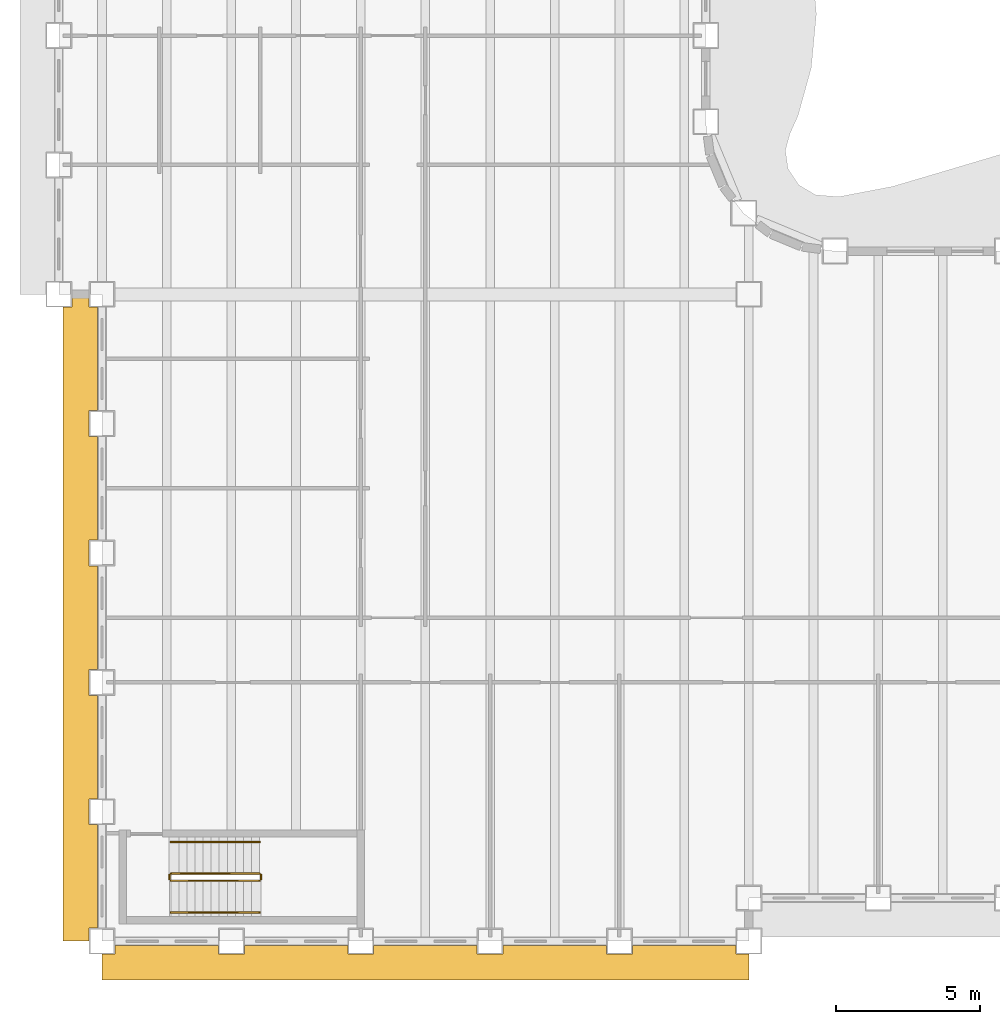
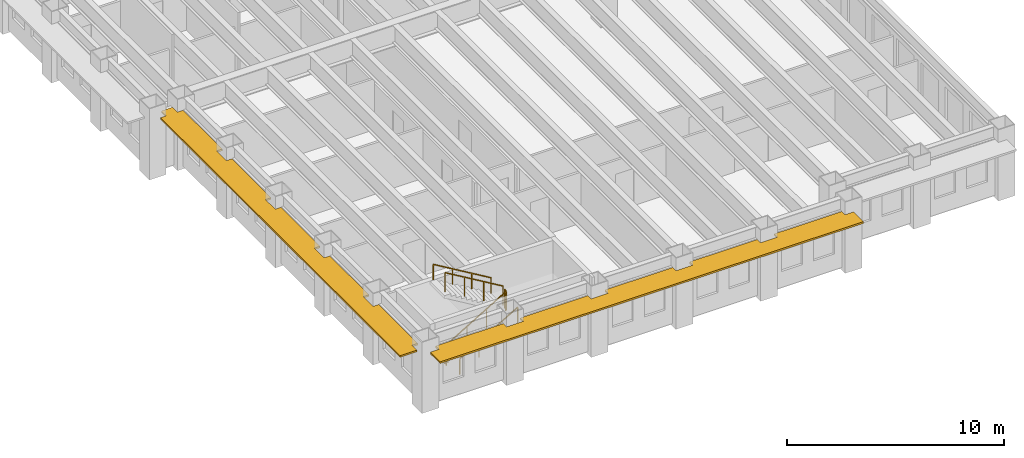
# One storey, part 10 of 13: 6 railings, 2 shading devices.
"""IFC4 building model written with IfcOpenShell, lengths in metres."""

from ifc_helpers import new_model, si_unit, direction, frame, origin, origin_2d, place, context, subcontext, project, spatial, polyline, rectangle, outline, extrude, material, layer, layer_set, type_object, element, save


model = new_model("IFC4")

# Units and contexts
model_context = context("Model", 3, precision=1e-05, world=origin(), true_north=direction((0.0, 1.0)))
body_context = subcontext(model_context, "Body", "Model", "MODEL_VIEW")
ifc_project = project(units=[si_unit("LENGTHUNIT", "METRE"), si_unit("AREAUNIT", "SQUARE_METRE"), si_unit("VOLUMEUNIT", "CUBIC_METRE"), si_unit("PLANEANGLEUNIT", "RADIAN"), si_unit("MASSUNIT", "GRAM", prefix="KILO")], contexts=[model_context])

# Site, building, storey
site_placement = place(None, origin())
site = spatial("IfcSite", under=ifc_project, at=site_placement, CompositionType="ELEMENT")
building_placement = place(site_placement, origin())
building = spatial("IfcBuilding", under=site, at=building_placement, Name="Sennacour Bend Tower", CompositionType="ELEMENT")
storey_placement = place(building_placement, frame((0.0, 0.0, 143.0)))
storey = spatial("IfcBuildingStorey", under=building, at=storey_placement, Name="L32", CompositionType="ELEMENT", Elevation=143.0)

# Railings
ifc_material_1 = material(Name="Stainless steel", Category="steel")
railing_type_1 = type_object("IfcRailingType", Name="RL-GUARD-1100", PredefinedType="GUARDRAIL", material=ifc_material_1)
railing_1_placement = place(storey_placement, frame((2.39990234375, 2.10009765625, 0.166748046875)))
element("IfcRailing", 1, at=railing_1_placement, inside=storey, type_object=railing_type_1, Name="L32 SK1 stair guard 1", PredefinedType="GUARDRAIL", context=body_context, shape_type="SweptSolid", body=[
    extrude(rectangle(XDim=0.048095703125, YDim=0.048095703125, at=origin_2d()), frame((0.0, 0.0, 1.076171875), z_axis=(0.859308565015, 0.0, 0.511457515432), x_axis=(0.0, 1.0, 0.0)), (0.0, 0.0, 1.0), 3.58447265625),
    extrude(rectangle(XDim=0.0419921875, YDim=0.0419921875, at=origin_2d()), origin(), (0.0, 0.0, 1.0), 1.052001953125),
    extrude(rectangle(XDim=0.0419921875, YDim=0.0419921875, at=origin_2d()), frame((1.026611328125, 0.0, 0.611083984375)), (0.0, 0.0, 1.0), 1.052001953125),
    extrude(rectangle(XDim=0.0419921875, YDim=0.0419921875, at=origin_2d()), frame((2.053466796875, 0.0, 1.22216796875)), (0.0, 0.0, 1.0), 1.052001953125),
    extrude(rectangle(XDim=0.0419921875, YDim=0.0419921875, at=origin_2d()), frame((3.080078125, 0.0, 1.833251953125)), (0.0, 0.0, 1.0), 1.052001953125),
])
railing_2_placement = place(storey_placement, frame((5.530029296875, 2.14990234375, 2.0)))
element("IfcRailing", 2, at=railing_2_placement, inside=storey, type_object=railing_type_1, Name="L32 SK1 stair guard 2", PredefinedType="GUARDRAIL", context=body_context, shape_type="SweptSolid", body=[
    extrude(rectangle(XDim=0.048095703125, YDim=0.048095703125, at=origin_2d()), frame((0.0, 0.0, 1.076171875), z_axis=(0.0, 1.0, 0.0), x_axis=(-1.0, 0.0, 0.0)), (0.0, 0.0, 1.0), 0.150146484375),
    extrude(rectangle(XDim=0.0419921875, YDim=0.0419921875, at=origin_2d()), origin(), (0.0, 0.0, 1.0), 1.052001953125),
    extrude(rectangle(XDim=0.0419921875, YDim=0.0419921875, at=origin_2d()), frame((0.0, 0.150146484375, 0.0)), (0.0, 0.0, 1.0), 1.052001953125),
])
railing_3_placement = place(storey_placement, frame((5.47998046875, 2.35009765625, 2.166748046875)))
element("IfcRailing", 3, at=railing_3_placement, inside=storey, type_object=railing_type_1, Name="L32 SK1 stair guard 3", PredefinedType="GUARDRAIL", context=body_context, shape_type="SweptSolid", body=[
    extrude(rectangle(XDim=0.048095703125, YDim=0.048095703125, at=origin_2d()), frame((0.0, 0.0, 1.076171875), z_axis=(-0.859308565015, 0.0, 0.511457515432), x_axis=(0.0, -1.0, 0.0)), (0.0, 0.0, 1.0), 3.58447265625),
    extrude(rectangle(XDim=0.0419921875, YDim=0.0419921875, at=origin_2d()), origin(), (0.0, 0.0, 1.0), 1.052001953125),
    extrude(rectangle(XDim=0.0419921875, YDim=0.0419921875, at=origin_2d()), frame((-1.026611328125, 0.0, 0.611083984375)), (0.0, 0.0, 1.0), 1.052001953125),
    extrude(rectangle(XDim=0.0419921875, YDim=0.0419921875, at=origin_2d()), frame((-2.053466796875, 0.0, 1.22216796875)), (0.0, 0.0, 1.0), 1.052001953125),
    extrude(rectangle(XDim=0.0419921875, YDim=0.0419921875, at=origin_2d()), frame((-3.080078125, 0.0, 1.833251953125)), (0.0, 0.0, 1.0), 1.052001953125),
])
railing_4_placement = place(storey_placement, frame((2.35009765625, 2.14990234375, 0.0)))
element("IfcRailing", 4, at=railing_4_placement, inside=storey, type_object=railing_type_1, Name="L32 SK1 stair guard 4", PredefinedType="GUARDRAIL", context=body_context, shape_type="SweptSolid", body=[
    extrude(rectangle(XDim=0.048095703125, YDim=0.048095703125, at=origin_2d()), frame((0.0, 0.0, 1.076171875), z_axis=(0.0, 1.0, 0.0), x_axis=(-1.0, 0.0, 0.0)), (0.0, 0.0, 1.0), 0.150146484375),
    extrude(rectangle(XDim=0.0419921875, YDim=0.0419921875, at=origin_2d()), origin(), (0.0, 0.0, 1.0), 1.052001953125),
    extrude(rectangle(XDim=0.0419921875, YDim=0.0419921875, at=origin_2d()), frame((0.0, 0.150146484375, 0.0)), (0.0, 0.0, 1.0), 1.052001953125),
])
railing_type_2 = type_object("IfcRailingType", Name="RL-HANDRAIL-900", PredefinedType="HANDRAIL", material=ifc_material_1)
railing_5_placement = place(storey_placement, frame((2.39990234375, 1.0, 0.166748046875)))
element("IfcRailing", 5, at=railing_5_placement, inside=storey, type_object=railing_type_2, Name="L32 SK1 stair handrail 1", PredefinedType="HANDRAIL", context=body_context, shape_type="SweptSolid", body=[
    extrude(rectangle(XDim=0.048095703125, YDim=0.048095703125, at=origin_2d()), frame((0.0, 0.0, 0.8759765625), z_axis=(0.859308565015, 0.0, 0.511457515432), x_axis=(0.0, 1.0, 0.0)), (0.0, 0.0, 1.0), 3.58447265625),
    extrude(rectangle(XDim=0.0419921875, YDim=0.0419921875, at=origin_2d()), origin(), (0.0, 0.0, 1.0), 0.851806640625),
    extrude(rectangle(XDim=0.0419921875, YDim=0.0419921875, at=origin_2d()), frame((1.026611328125, 0.0, 0.611083984375)), (0.0, 0.0, 1.0), 0.851806640625),
    extrude(rectangle(XDim=0.0419921875, YDim=0.0419921875, at=origin_2d()), frame((2.053466796875, 0.0, 1.22216796875)), (0.0, 0.0, 1.0), 0.851806640625),
    extrude(rectangle(XDim=0.0419921875, YDim=0.0419921875, at=origin_2d()), frame((3.080078125, 0.0, 1.833251953125)), (0.0, 0.0, 1.0), 0.851806640625),
])
railing_6_placement = place(storey_placement, frame((5.47998046875, 3.449951171875, 2.166748046875)))
element("IfcRailing", 6, at=railing_6_placement, inside=storey, type_object=railing_type_2, Name="L32 SK1 stair handrail 2", PredefinedType="HANDRAIL", context=body_context, shape_type="SweptSolid", body=[
    extrude(rectangle(XDim=0.048095703125, YDim=0.048095703125, at=origin_2d()), frame((0.0, 0.0, 0.8759765625), z_axis=(-0.859308565015, 0.0, 0.511457515432), x_axis=(0.0, -1.0, 0.0)), (0.0, 0.0, 1.0), 3.58447265625),
    extrude(rectangle(XDim=0.0419921875, YDim=0.0419921875, at=origin_2d()), origin(), (0.0, 0.0, 1.0), 0.851806640625),
    extrude(rectangle(XDim=0.0419921875, YDim=0.0419921875, at=origin_2d()), frame((-1.026611328125, 0.0, 0.611083984375)), (0.0, 0.0, 1.0), 0.851806640625),
    extrude(rectangle(XDim=0.0419921875, YDim=0.0419921875, at=origin_2d()), frame((-2.053466796875, 0.0, 1.22216796875)), (0.0, 0.0, 1.0), 0.851806640625),
    extrude(rectangle(XDim=0.0419921875, YDim=0.0419921875, at=origin_2d()), frame((-3.080078125, 0.0, 1.833251953125)), (0.0, 0.0, 1.0), 0.851806640625),
])

# Shading devices
ifc_material_2 = material(Name="Bronze anodised aluminium", Category="aluminium")
ifc_layer = layer(ifc_material_2, 0.10009765625, Name="Bronze anodised aluminium", Category="aluminium")
ifc_layer_set = layer_set([ifc_layer], Name="Bronze anodised aluminium")
shading_device_type = type_object("IfcShadingDeviceType", Name="SUNSHADE BAND STRAIGHT", PredefinedType="USERDEFINED", material=ifc_layer_set)
shading_device_1_placement = place(storey_placement, frame((0.0, 0.0, 3.049072265625)))
element("IfcShadingDevice", 7, at=shading_device_1_placement, inside=storey, type_object=shading_device_type, Name="Sunshade band L32 K outer face", ObjectType="SUNSHADE", PredefinedType="USERDEFINED", context=body_context, shape_type="SweptSolid", body=[
    extrude(outline(polyline([(-0.14990234375, 18.449951171875), (-0.449951171875, 18.449951171875), (-0.449951171875, 17.550048828125), (-0.14990234375, 17.550048828125), (-0.14990234375, 13.949951171875), (-0.449951171875, 13.949951171875), (-0.449951171875, 13.050048828125), (-0.14990234375, 13.050048828125), (-0.14990234375, 9.449951171875), (-0.449951171875, 9.449951171875), (-0.449951171875, 8.550048828125), (-0.14990234375, 8.550048828125), (-0.14990234375, 4.949951171875), (-0.449951171875, 4.949951171875), (-0.449951171875, 4.050048828125), (-0.14990234375, 4.050048828125), (-0.14990234375, 0.449951171875), (-0.449951171875, 0.449951171875), (-0.449951171875, 0.0), (-1.35009765625, 0.0), (-1.35009765625, 22.050048828125), (-1.050048828125, 22.050048828125), (-1.050048828125, 22.5), (-0.449951171875, 22.5), (-0.449951171875, 22.050048828125), (-0.14990234375, 22.050048828125), (-0.14990234375, 18.449951171875)])), origin(), (0.0, 0.0, 1.0), 0.099853515625),
])
shading_device_2_placement = place(storey_placement, frame((0.0, 0.0, 3.049072265625)))
element("IfcShadingDevice", 8, at=shading_device_2_placement, inside=storey, type_object=shading_device_type, Name="Sunshade band L32 K outer face", ObjectType="SUNSHADE", PredefinedType="USERDEFINED", context=body_context, shape_type="SweptSolid", body=[
    extrude(outline(polyline([(4.050048828125, -0.14990234375), (4.050048828125, -0.449951171875), (4.949951171875, -0.449951171875), (4.949951171875, -0.14990234375), (8.550048828125, -0.14990234375), (8.550048828125, -0.449951171875), (9.449951171875, -0.449951171875), (9.449951171875, -0.14990234375), (13.050048828125, -0.14990234375), (13.050048828125, -0.449951171875), (13.949951171875, -0.449951171875), (13.949951171875, -0.14990234375), (17.550048828125, -0.14990234375), (17.550048828125, -0.449951171875), (18.449951171875, -0.449951171875), (18.449951171875, -0.14990234375), (22.050048828125, -0.14990234375), (22.050048828125, -0.449951171875), (22.5, -0.449951171875), (22.5, -1.35009765625), (0.0, -1.35009765625), (0.0, -0.449951171875), (0.449951171875, -0.449951171875), (0.449951171875, -0.14990234375), (4.050048828125, -0.14990234375)])), origin(), (0.0, 0.0, 1.0), 0.099853515625),
])

save(model, "model.ifc")
